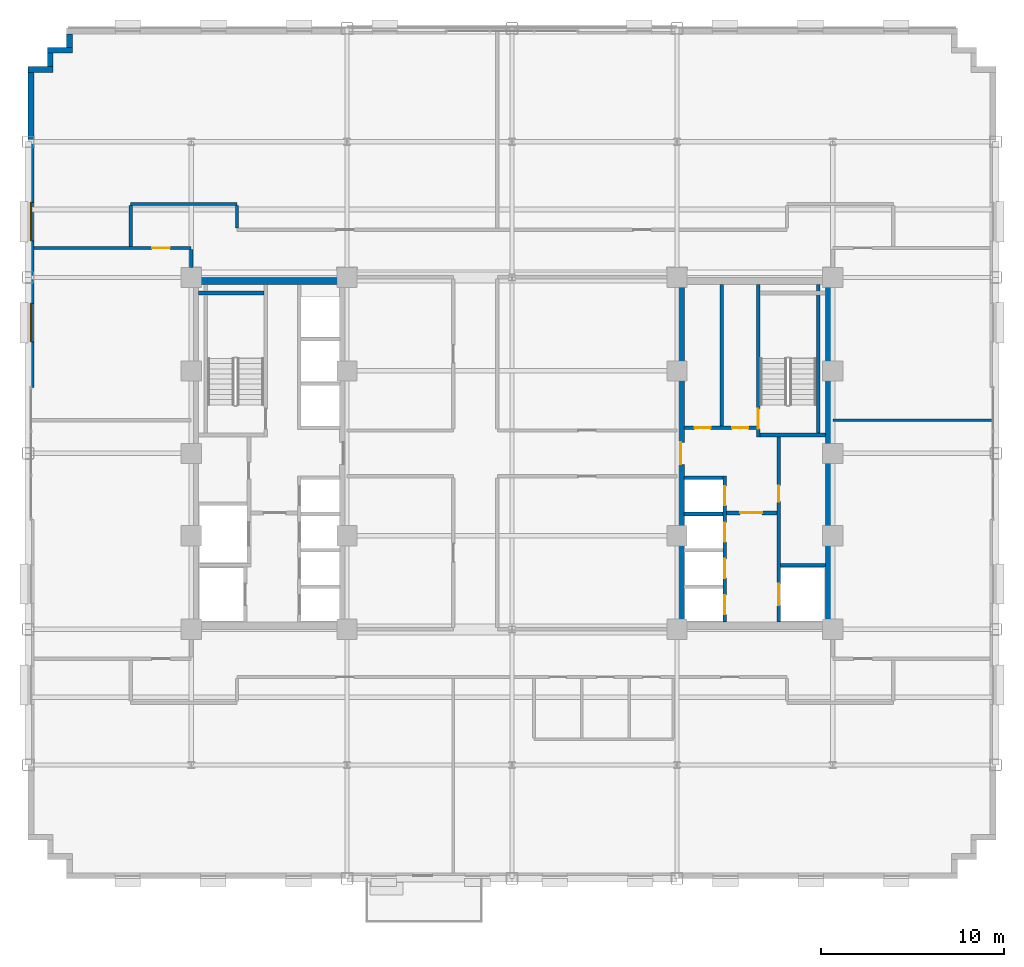
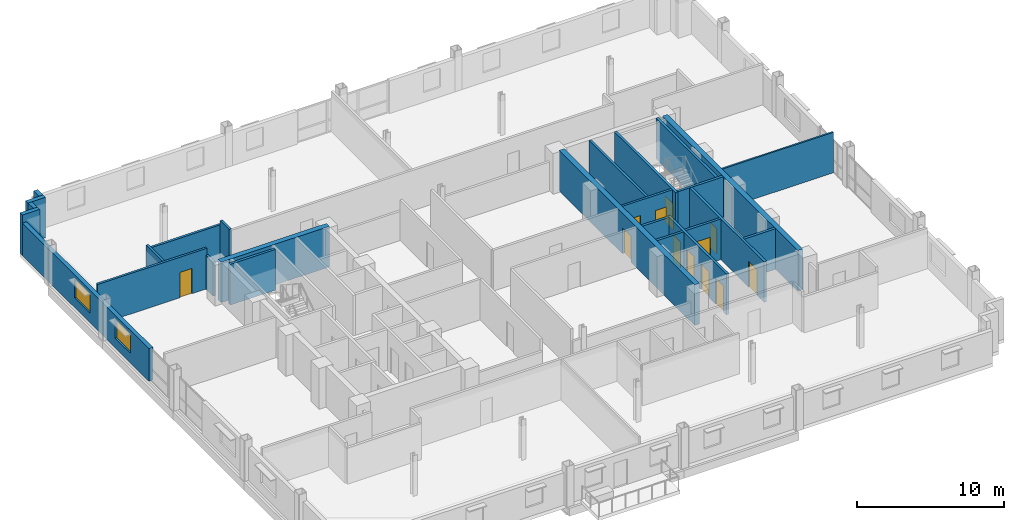
# One storey, part 8 of 17: 26 walls, 12 doors, 2 windows, 14 openings.
"""IFC4 building model written with IfcOpenShell, lengths in metres."""

from ifc_helpers import new_model, si_unit, direction, frame, frame_2d, origin, place, context, subcontext, project, spatial, rectangle, extrude, source, transform, mapped, material, layer, layer_set, type_object, type_shapes, element, fill, save


model = new_model("IFC4")

# Units and contexts
model_context = context("Model", 3, precision=1e-05, world=origin(), true_north=direction((0.0, 1.0)))
body_context = subcontext(model_context, "Body", "Model", "MODEL_VIEW")
ifc_project = project(units=[si_unit("LENGTHUNIT", "METRE"), si_unit("AREAUNIT", "SQUARE_METRE"), si_unit("VOLUMEUNIT", "CUBIC_METRE"), si_unit("PLANEANGLEUNIT", "RADIAN"), si_unit("MASSUNIT", "GRAM", prefix="KILO")], contexts=[model_context])

# Site, building, storey
site_placement = place(None, origin())
site = spatial("IfcSite", under=ifc_project, at=site_placement, CompositionType="ELEMENT")
building_placement = place(site_placement, origin())
building = spatial("IfcBuilding", under=site, at=building_placement, Name="Nuvemarco Arch Tower", CompositionType="ELEMENT")
storey_placement = place(building_placement, frame((0.0, 0.0, 120.199951171875)))
storey = spatial("IfcBuildingStorey", under=building, at=storey_placement, Name="L31", CompositionType="ELEMENT", Elevation=120.199951171875)

# Walls
ifc_material_1 = material(Name="Precast concrete C45/55", Category="concrete")
ifc_layer_1 = layer(ifc_material_1, 0.320068359375, Name="EW-MID-320")
ifc_layer_set_1 = layer_set([ifc_layer_1], Name="Precast concrete C45/55")
wall_type_1 = type_object("IfcWallType", Name="EW-MID-320", PredefinedType="STANDARD", material=ifc_layer_set_1)
wall_1_placement = place(storey_placement, frame((-24.139892578125, 22.14599609375, 0.0), z_axis=(0.0, 0.0, 1.0), x_axis=(0.0, 1.0, 0.0)))
element("IfcWall", 1, at=wall_1_placement, inside=storey, type_object=wall_type_1, Name="L31 exterior precast facade wall 12", PredefinedType="STANDARD", context=body_context, shape_type="SweptSolid", body=[
    extrude(rectangle(XDim=0.738037109375, YDim=0.320068359375, at=frame_2d((0.369140625, 0.0))), origin(), (0.0, 0.0, 1.0), 3.360107421875),
])
wall_2_placement = place(storey_placement, frame((-25.35009765625, 21.989990234375, 0.0), z_axis=(0.0, 0.0, 1.0), x_axis=(1.0, 0.0, 0.0)))
element("IfcWall", 2, at=wall_2_placement, inside=storey, type_object=wall_type_1, Name="L31 exterior precast facade wall 13", PredefinedType="STANDARD", context=body_context, shape_type="SweptSolid", body=[
    extrude(rectangle(XDim=1.3701171875, YDim=0.320068359375, at=frame_2d((0.68505859375, 0.0))), origin(), (0.0, 0.0, 1.0), 3.360107421875),
])
wall_3_placement = place(storey_placement, frame((-25.18994140625, 21.095947265625, 0.0), z_axis=(0.0, 0.0, 1.0), x_axis=(0.0, 1.0, 0.0)))
element("IfcWall", 3, at=wall_3_placement, inside=storey, type_object=wall_type_1, Name="L31 exterior precast facade wall 14", PredefinedType="STANDARD", context=body_context, shape_type="SweptSolid", body=[
    extrude(rectangle(XDim=0.738037109375, YDim=0.320068359375, at=frame_2d((0.369140625, 0.0))), origin(), (0.0, 0.0, 1.0), 3.360107421875),
])
wall_4_placement = place(storey_placement, frame((-26.39990234375, 20.93994140625, 0.0), z_axis=(0.0, 0.0, 1.0), x_axis=(1.0, 0.0, 0.0)))
element("IfcWall", 4, at=wall_4_placement, inside=storey, type_object=wall_type_1, Name="L31 exterior precast facade wall 15", PredefinedType="STANDARD", context=body_context, shape_type="SweptSolid", body=[
    extrude(rectangle(XDim=1.369873046875, YDim=0.320068359375, at=frame_2d((0.68505859375, 0.0))), origin(), (0.0, 0.0, 1.0), 3.360107421875),
])

# Wall, openings, windows
wall_5_placement = place(storey_placement, frame((-26.239990234375, 3.60009765625, 0.0), z_axis=(0.0, 0.0, 1.0), x_axis=(0.0, 1.0, 0.0)))
wall_5 = element("IfcWall", 5, at=wall_5_placement, inside=storey, type_object=wall_type_1, Name="L31 exterior precast pier wall west right", PredefinedType="STANDARD", context=body_context, shape_type="SweptSolid", body=[
    extrude(rectangle(XDim=17.183837890625, YDim=0.320068359375, at=frame_2d((8.591796875, 0.0))), origin(), (0.0, 0.0, 1.0), 2.705078125),
])
opening_1_placement = place(wall_5_placement, frame((2.480712890625, 0.0, 0.800048828125)))
opening_1 = element("IfcOpeningElement", 6, at=opening_1_placement, cuts=wall_5, Name="Opening WN-5", PredefinedType="OPENING", context=body_context, shape_type="SweptSolid", body=[
    extrude(rectangle(XDim=2.10009765625, YDim=1.56005859375, at=frame_2d((1.050048828125, 0.780029296875))), frame((0.0, 0.169921875, 0.0), z_axis=(0.0, -1.0, 0.0), x_axis=(1.0, 0.0, 0.0)), (0.0, 0.0, 1.0), 0.340087890625),
])
opening_2_placement = place(wall_5_placement, frame((7.991943359375, 0.0, 0.800048828125)))
opening_2 = element("IfcOpeningElement", 7, at=opening_2_placement, cuts=wall_5, Name="Opening WN-5", PredefinedType="OPENING", context=body_context, shape_type="SweptSolid", body=[
    extrude(rectangle(XDim=2.10009765625, YDim=1.56005859375, at=frame_2d((1.050048828125, 0.780029296875))), frame((0.0, 0.169921875, 0.0), z_axis=(0.0, -1.0, 0.0), x_axis=(1.0, 0.0, 0.0)), (0.0, 0.0, 1.0), 0.340087890625),
])
ifc_material_2 = material(Name="Insulated solar-control glass", Category="glass")
window_type = type_object("IfcWindowType", Name="WN-MID-2100x1560", PartitioningType="DOUBLE_PANEL_VERTICAL", PredefinedType="WINDOW", material=ifc_material_2)
shared_shape_1 = source(origin(), body_context, "Body", "SweptSolid", [
    extrude(rectangle(XDim=2.10009765625, YDim=1.56005859375, at=frame_2d((1.050048828125, 0.780029296875))), frame((0.0, 0.030029296875, 0.0), z_axis=(0.0, -1.0, 0.0), x_axis=(1.0, 0.0, 0.0)), (0.0, 0.0, 1.0), 0.06005859375),
])
type_shapes(window_type, [shared_shape_1])
window_1_placement = place(opening_1_placement, origin())
window_1 = element("IfcWindow", 8, at=window_1_placement, inside=storey, type_object=window_type, Name="L31 punched facade window 1", OverallHeight=1.56005859375, OverallWidth=2.10009765625, PartitioningType="SINGLE_PANEL", PredefinedType="WINDOW", context=body_context, shape_type="MappedRepresentation", body=[
    mapped(shared_shape_1, transform((0.0, 0.0, 0.0), scale=1.0)),
])
fill(opening_1, window_1)
window_2_placement = place(opening_2_placement, origin())
window_2 = element("IfcWindow", 9, at=window_2_placement, inside=storey, type_object=window_type, Name="L31 punched facade window 2", OverallHeight=1.56005859375, OverallWidth=2.10009765625, PartitioningType="SINGLE_PANEL", PredefinedType="WINDOW", context=body_context, shape_type="MappedRepresentation", body=[
    mapped(shared_shape_1, transform((0.0, 0.0, 0.0), scale=1.0)),
])
fill(opening_2, window_2)

# Wall
ifc_material_3 = material(Name="Concrete C60/75", Category="concrete")
ifc_layer_2 = layer(ifc_material_3, 0.39990234375, Name="WL-CORE-400")
ifc_layer_set_2 = layer_set([ifc_layer_2], Name="Concrete C60/75")
wall_type_2 = type_object("IfcWallType", Name="WL-CORE-400", PredefinedType="SHEAR", material=ifc_layer_set_2)
wall_6_placement = place(storey_placement, frame((-17.5, 9.39990234375, 0.0), z_axis=(0.0, 0.0, 1.0), x_axis=(1.0, 0.0, 0.0)))
element("IfcWall", 10, at=wall_6_placement, inside=storey, type_object=wall_type_2, Name="L31 W-core shear wall N", PredefinedType="SHEAR", context=body_context, shape_type="SweptSolid", body=[
    extrude(rectangle(XDim=8.5, YDim=0.39990234375, at=frame_2d((4.25, 0.0))), origin(), (0.0, 0.0, 1.0), 3.3701171875),
])

# Wall, opening, door
wall_7_placement = place(storey_placement, frame((9.199951171875, -9.205078125, 0.0), z_axis=(0.0, 0.0, 1.0), x_axis=(0.0, 1.0, 0.0)))
wall_7 = element("IfcWall", 11, at=wall_7_placement, inside=storey, type_object=wall_type_2, Name="L31 E-core shear wall W", PredefinedType="SHEAR", context=body_context, shape_type="SweptSolid", body=[
    extrude(rectangle(XDim=18.41015625, YDim=0.39990234375, at=frame_2d((9.205078125, 0.0))), origin(), (0.0, 0.0, 1.0), 3.3701171875),
])
opening_3_placement = place(wall_7_placement, frame((8.60498046875, 0.0, 0.0)))
opening_3 = element("IfcOpeningElement", 12, at=opening_3_placement, cuts=wall_7, Name="Opening FD-2", PredefinedType="OPENING", context=body_context, shape_type="SweptSolid", body=[
    extrude(rectangle(XDim=1.199951171875, YDim=2.14990234375, at=frame_2d((0.60009765625, 1.074951171875))), frame((0.0, 0.2099609375, 0.0), z_axis=(0.0, -1.0, 0.0), x_axis=(1.0, 0.0, 0.0)), (0.0, 0.0, 1.0), 0.419921875),
])
ifc_material_4 = material(Name="Anodised steel fire door", Category="steel")
door_type_1 = type_object("IfcDoorType", Name="DR-FFLOB-FD", OperationType="NOTDEFINED", PredefinedType="DOOR", material=ifc_material_4)
shared_shape_2 = source(origin(), body_context, "Body", "SweptSolid", [
    extrude(rectangle(XDim=1.199951171875, YDim=2.14990234375, at=frame_2d((0.60009765625, 1.074951171875))), frame((0.0, 0.02490234375, 0.0), z_axis=(0.0, -1.0, 0.0), x_axis=(1.0, 0.0, 0.0)), (0.0, 0.0, 1.0), 0.050048828125),
])
type_shapes(door_type_1, [shared_shape_2])
door_1_placement = place(opening_3_placement, origin())
door_1 = element("IfcDoor", 13, at=door_1_placement, inside=storey, type_object=door_type_1, Name="L31 door FD-L31-ECORE-W", OperationType="SINGLE_SWING_RIGHT", OverallHeight=2.14990234375, OverallWidth=1.199951171875, PredefinedType="DOOR", context=body_context, shape_type="MappedRepresentation", body=[
    mapped(shared_shape_2, transform((0.0, 0.0, 0.0), scale=1.0)),
])
fill(opening_3, door_1)

# Wall
wall_8_placement = place(storey_placement, frame((17.300048828125, -9.205078125, 0.0), z_axis=(0.0, 0.0, 1.0), x_axis=(0.0, 1.0, 0.0)))
element("IfcWall", 14, at=wall_8_placement, inside=storey, type_object=wall_type_2, Name="L31 E-core shear wall E", PredefinedType="SHEAR", context=body_context, shape_type="SweptSolid", body=[
    extrude(rectangle(XDim=18.41015625, YDim=0.39990234375, at=frame_2d((9.205078125, 0.0))), origin(), (0.0, 0.0, 1.0), 3.3701171875),
])

# Wall, openings, doors
ifc_material_5 = material(Name="Fire-rated gypsum drywall partition")
ifc_layer_3 = layer(ifc_material_5, 0.179931640625, Name="WL-CORR-180")
ifc_layer_set_3 = layer_set([ifc_layer_3], Name="Fire-rated gypsum drywall partition")
wall_type_3 = type_object("IfcWallType", Name="WL-CORR-180", PredefinedType="PARTITIONING", material=ifc_layer_set_3)
wall_9_placement = place(storey_placement, frame((9.39501953125, 1.39990234375, 0.0), z_axis=(0.0, 0.0, 1.0), x_axis=(1.0, 0.0, 0.0)))
wall_9 = element("IfcWall", 15, at=wall_9_placement, inside=storey, type_object=wall_type_3, Name="L31 interior wall IW-L31-EK-S", PredefinedType="PARTITIONING", context=body_context, shape_type="SweptSolid", body=[
    extrude(rectangle(XDim=3.949951171875, YDim=0.179931640625, at=frame_2d((1.97509765625, 0.0))), origin(), (0.0, 0.0, 1.0), 3.360107421875),
])
opening_4_placement = place(wall_9_placement, frame((0.56494140625, 0.0, 0.0)))
opening_4 = element("IfcOpeningElement", 16, at=opening_4_placement, cuts=wall_9, Name="Opening FD-4", PredefinedType="OPENING", context=body_context, shape_type="SweptSolid", body=[
    extrude(rectangle(XDim=0.8798828125, YDim=2.10009765625, at=frame_2d((0.43994140625, 1.050048828125))), frame((0.0, 0.099853515625, 0.0), z_axis=(0.0, -1.0, 0.0), x_axis=(1.0, 0.0, 0.0)), (0.0, 0.0, 1.0), 0.199951171875),
])
opening_5_placement = place(wall_9_placement, frame((2.614990234375, 0.0, 0.0)))
opening_5 = element("IfcOpeningElement", 17, at=opening_5_placement, cuts=wall_9, Name="Opening FD-4", PredefinedType="OPENING", context=body_context, shape_type="SweptSolid", body=[
    extrude(rectangle(XDim=0.8798828125, YDim=2.10009765625, at=frame_2d((0.43994140625, 1.050048828125))), frame((0.0, 0.099853515625, 0.0), z_axis=(0.0, -1.0, 0.0), x_axis=(1.0, 0.0, 0.0)), (0.0, 0.0, 1.0), 0.199951171875),
])
door_type_2 = type_object("IfcDoorType", Name="DR-RISER-FD", OperationType="NOTDEFINED", PredefinedType="DOOR", material=ifc_material_4)
shared_shape_3 = source(origin(), body_context, "Body", "SweptSolid", [
    extrude(rectangle(XDim=0.8798828125, YDim=2.10009765625, at=frame_2d((0.43994140625, 1.050048828125))), frame((0.0, 0.02490234375, 0.0), z_axis=(0.0, -1.0, 0.0), x_axis=(1.0, 0.0, 0.0)), (0.0, 0.0, 1.0), 0.050048828125),
])
type_shapes(door_type_2, [shared_shape_3])
door_2_placement = place(opening_4_placement, origin())
door_2 = element("IfcDoor", 18, at=door_2_placement, inside=storey, type_object=door_type_2, Name="L31 door FD-L31-EK2A", OperationType="SINGLE_SWING_LEFT", OverallHeight=2.10009765625, OverallWidth=0.8798828125, PredefinedType="DOOR", context=body_context, shape_type="MappedRepresentation", body=[
    mapped(shared_shape_3, transform((0.0, 0.0, 0.0), scale=1.0)),
])
fill(opening_4, door_2)
door_3_placement = place(opening_5_placement, origin())
door_3 = element("IfcDoor", 19, at=door_3_placement, inside=storey, type_object=door_type_2, Name="L31 door FD-L31-EK2B", OperationType="SINGLE_SWING_RIGHT", OverallHeight=2.10009765625, OverallWidth=0.8798828125, PredefinedType="DOOR", context=body_context, shape_type="MappedRepresentation", body=[
    mapped(shared_shape_3, transform((0.0, 0.0, 0.0), scale=1.0)),
])
fill(opening_5, door_3)

# Wall
wall_10_placement = place(storey_placement, frame((11.449951171875, 1.489990234375, 0.0), z_axis=(0.0, 0.0, 1.0), x_axis=(0.0, 1.0, 0.0)))
element("IfcWall", 20, at=wall_10_placement, inside=storey, type_object=wall_type_3, Name="L31 interior wall IW-L31-EK2", PredefinedType="PARTITIONING", context=body_context, shape_type="SweptSolid", body=[
    extrude(rectangle(XDim=7.715087890625, YDim=0.179931640625, at=frame_2d((3.857421875, 0.0))), origin(), (0.0, 0.0, 1.0), 3.360107421875),
])

# Wall, opening, door
wall_11_placement = place(storey_placement, frame((-26.080078125, 11.199951171875, 0.0), z_axis=(0.0, 0.0, 1.0), x_axis=(1.0, 0.0, 0.0)))
wall_11 = element("IfcWall", 21, at=wall_11_placement, inside=storey, type_object=wall_type_3, Name="L31 interior wall IW-L31-019", PredefinedType="PARTITIONING", context=body_context, shape_type="SweptSolid", body=[
    extrude(rectangle(XDim=8.580078125, YDim=0.179931640625, at=frame_2d((4.2900390625, 0.0))), origin(), (0.0, 0.0, 1.0), 3.360107421875),
])
opening_6_placement = place(wall_11_placement, frame((6.449951171875, 0.0, 0.0)))
opening_6 = element("IfcOpeningElement", 22, at=opening_6_placement, cuts=wall_11, Name="Opening FD-5", PredefinedType="OPENING", context=body_context, shape_type="SweptSolid", body=[
    extrude(rectangle(XDim=0.9599609375, YDim=2.10009765625, at=frame_2d((0.47998046875, 1.050048828125))), frame((0.0, 0.099853515625, 0.0), z_axis=(0.0, -1.0, 0.0), x_axis=(1.0, 0.0, 0.0)), (0.0, 0.0, 1.0), 0.199951171875),
])
ifc_material_6 = material(Name="Timber fire door", Category="wood")
door_type_3 = type_object("IfcDoorType", Name="DR-CORR-FD", OperationType="NOTDEFINED", PredefinedType="DOOR", material=ifc_material_6)
shared_shape_4 = source(origin(), body_context, "Body", "SweptSolid", [
    extrude(rectangle(XDim=0.9599609375, YDim=2.10009765625, at=frame_2d((0.47998046875, 1.050048828125))), frame((0.0, 0.02490234375, 0.0), z_axis=(0.0, -1.0, 0.0), x_axis=(1.0, 0.0, 0.0)), (0.0, 0.0, 1.0), 0.050048828125),
])
type_shapes(door_type_3, [shared_shape_4])
door_4_placement = place(opening_6_placement, origin())
door_4 = element("IfcDoor", 23, at=door_4_placement, inside=storey, type_object=door_type_3, Name="L31 door DR-L31-W_2", OperationType="SINGLE_SWING_RIGHT", OverallHeight=2.10009765625, OverallWidth=0.9599609375, PredefinedType="DOOR", context=body_context, shape_type="MappedRepresentation", body=[
    mapped(shared_shape_4, transform((0.0, 0.0, 0.0), scale=1.0)),
])
fill(opening_6, door_4)

# Walls
wall_12_placement = place(storey_placement, frame((-20.800048828125, 13.60009765625, 0.0), z_axis=(0.0, 0.0, 1.0), x_axis=(1.0, 0.0, 0.0)))
element("IfcWall", 24, at=wall_12_placement, inside=storey, type_object=wall_type_3, Name="L31 interior wall IW-L31-022", PredefinedType="PARTITIONING", context=body_context, shape_type="SweptSolid", body=[
    extrude(rectangle(XDim=5.800048828125, YDim=0.179931640625, at=frame_2d((2.89990234375, 0.0))), origin(), (0.0, 0.0, 1.0), 2.998046875),
])
wall_13_placement = place(storey_placement, frame((-20.800048828125, 11.285888671875, 0.0), z_axis=(0.0, 0.0, 1.0), x_axis=(0.0, 1.0, 0.0)))
element("IfcWall", 25, at=wall_13_placement, inside=storey, type_object=wall_type_3, Name="L31 interior wall IW-L31-025", PredefinedType="PARTITIONING", context=body_context, shape_type="SweptSolid", body=[
    extrude(rectangle(XDim=2.22802734375, YDim=0.179931640625, at=frame_2d((1.114013671875, 0.0))), origin(), (0.0, 0.0, 1.0), 3.360107421875),
])
wall_14_placement = place(storey_placement, frame((-17.5, 10.14599609375, 0.0), z_axis=(0.0, 0.0, 1.0), x_axis=(0.0, 1.0, 0.0)))
element("IfcWall", 26, at=wall_14_placement, inside=storey, type_object=wall_type_3, Name="L31 interior wall IW-L31-027", PredefinedType="PARTITIONING", context=body_context, shape_type="SweptSolid", body=[
    extrude(rectangle(XDim=0.968017578125, YDim=0.179931640625, at=frame_2d((0.48388671875, 0.0))), origin(), (0.0, 0.0, 1.0), 2.816162109375),
])
wall_15_placement = place(storey_placement, frame((-15.0, 12.285888671875, 0.0), z_axis=(0.0, 0.0, 1.0), x_axis=(0.0, 1.0, 0.0)))
element("IfcWall", 27, at=wall_15_placement, inside=storey, type_object=wall_type_3, Name="L31 interior wall IW-L31-029", PredefinedType="PARTITIONING", context=body_context, shape_type="SweptSolid", body=[
    extrude(rectangle(XDim=1.22802734375, YDim=0.179931640625, at=frame_2d((0.614013671875, 0.0))), origin(), (0.0, 0.0, 1.0), 3.360107421875),
])
ifc_material_7 = material(Name="Glazed acoustic office partition")
ifc_layer_4 = layer(ifc_material_7, 0.1298828125, Name="WL-EXEC-130")
ifc_layer_set_4 = layer_set([ifc_layer_4], Name="Glazed acoustic office partition")
wall_type_4 = type_object("IfcWallType", Name="WL-EXEC-130", PredefinedType="PARTITIONING", material=ifc_layer_set_4)
wall_16_placement = place(storey_placement, frame((17.5, 1.800048828125, 0.0), z_axis=(0.0, 0.0, 1.0), x_axis=(1.0, 0.0, 0.0)))
element("IfcWall", 28, at=wall_16_placement, inside=storey, type_object=wall_type_4, Name="L31 interior wall IW-L31-015", PredefinedType="PARTITIONING", context=body_context, shape_type="SweptSolid", body=[
    extrude(rectangle(XDim=8.72509765625, YDim=0.1298828125, at=frame_2d((4.362548828125, 0.0))), origin(), (0.0, 0.0, 1.0), 3.360107421875),
])
ifc_material_8 = material(Name="Concrete C50/60", Category="concrete")
ifc_layer_5 = layer(ifc_material_8, 0.199951171875, Name="WL-SHAFT-220")
ifc_layer_set_5 = layer_set([ifc_layer_5], Name="Concrete C50/60")
wall_type_5 = type_object("IfcWallType", Name="WL-SHAFT-220", PredefinedType="SHEAR", material=ifc_layer_set_5)
wall_17_placement = place(storey_placement, frame((-17.10498046875, 8.75, 0.0), z_axis=(0.0, 0.0, 1.0), x_axis=(1.0, 0.0, 0.0)))
element("IfcWall", 29, at=wall_17_placement, inside=storey, type_object=wall_type_5, Name="L31 structural shaft wall SW-L31-W-ST1N", PredefinedType="SHEAR", context=body_context, shape_type="SweptSolid", body=[
    extrude(rectangle(XDim=3.570068359375, YDim=0.199951171875, at=frame_2d((1.78515625, 0.0))), origin(), (0.0, 0.0, 1.0), 3.3701171875),
])

# Wall, opening, door
wall_18_placement = place(storey_placement, frame((13.43994140625, 0.89990234375, 0.0), z_axis=(0.0, 0.0, 1.0), x_axis=(0.0, 1.0, 0.0)))
wall_18 = element("IfcWall", 30, at=wall_18_placement, inside=storey, type_object=wall_type_5, Name="L31 structural shaft wall SW-L31-E-ST2W", PredefinedType="SHEAR", context=body_context, shape_type="SweptSolid", body=[
    extrude(rectangle(XDim=8.30517578125, YDim=0.199951171875, at=frame_2d((4.152587890625, 0.0))), origin(), (0.0, 0.0, 1.0), 3.3701171875),
])
opening_7_placement = place(wall_18_placement, frame((0.429931640625, 0.0, 0.0)))
opening_7 = element("IfcOpeningElement", 31, at=opening_7_placement, cuts=wall_18, Name="Opening FD-1", PredefinedType="OPENING", context=body_context, shape_type="SweptSolid", body=[
    extrude(rectangle(XDim=1.10009765625, YDim=2.14990234375, at=frame_2d((0.550048828125, 1.074951171875))), frame((0.0, 0.10986328125, 0.0), z_axis=(0.0, -1.0, 0.0), x_axis=(1.0, 0.0, 0.0)), (0.0, 0.0, 1.0), 0.219970703125),
])
door_type_4 = type_object("IfcDoorType", Name="DR-STAIR-FD", OperationType="NOTDEFINED", PredefinedType="DOOR", material=ifc_material_4)
shared_shape_5 = source(origin(), body_context, "Body", "SweptSolid", [
    extrude(rectangle(XDim=1.10009765625, YDim=2.14990234375, at=frame_2d((0.550048828125, 1.074951171875))), frame((0.0, 0.02490234375, 0.0), z_axis=(0.0, -1.0, 0.0), x_axis=(1.0, 0.0, 0.0)), (0.0, 0.0, 1.0), 0.050048828125),
])
type_shapes(door_type_4, [shared_shape_5])
door_5_placement = place(opening_7_placement, origin())
door_5 = element("IfcDoor", 32, at=door_5_placement, inside=storey, type_object=door_type_4, Name="L31 door FD-L31-ST2", OperationType="SINGLE_SWING_RIGHT", OverallHeight=2.14990234375, OverallWidth=1.10009765625, PredefinedType="DOOR", context=body_context, shape_type="MappedRepresentation", body=[
    mapped(shared_shape_5, transform((0.0, 0.0, 0.0), scale=1.0)),
])
fill(opening_7, door_5)

# Walls
wall_19_placement = place(storey_placement, frame((13.534912109375, 1.0, 0.0), z_axis=(0.0, 0.0, 1.0), x_axis=(1.0, 0.0, 0.0)))
element("IfcWall", 33, at=wall_19_placement, inside=storey, type_object=wall_type_5, Name="L31 structural shaft wall SW-L31-E-ST2S", PredefinedType="SHEAR", context=body_context, shape_type="SweptSolid", body=[
    extrude(rectangle(XDim=3.570068359375, YDim=0.199951171875, at=frame_2d((1.78515625, 0.0))), origin(), (0.0, 0.0, 1.0), 3.3701171875),
])
wall_20_placement = place(storey_placement, frame((16.699951171875, 1.094970703125, 0.0), z_axis=(0.0, 0.0, 1.0), x_axis=(0.0, 1.0, 0.0)))
element("IfcWall", 34, at=wall_20_placement, inside=storey, type_object=wall_type_5, Name="L31 structural shaft wall SW-L31-E-ST2E", PredefinedType="SHEAR", context=body_context, shape_type="SweptSolid", body=[
    extrude(rectangle(XDim=8.110107421875, YDim=0.199951171875, at=frame_2d((4.05517578125, 0.0))), origin(), (0.0, 0.0, 1.0), 3.3701171875),
])

# Wall, openings, doors
wall_21_placement = place(storey_placement, frame((14.550048828125, -9.205078125, 0.0), z_axis=(0.0, 0.0, 1.0), x_axis=(0.0, 1.0, 0.0)))
wall_21 = element("IfcWall", 35, at=wall_21_placement, inside=storey, type_object=wall_type_5, Name="L31 structural shaft wall SW-L31-E-SHW", PredefinedType="SHEAR", context=body_context, shape_type="SweptSolid", body=[
    extrude(rectangle(XDim=10.110107421875, YDim=0.199951171875, at=frame_2d((5.05517578125, 0.0))), origin(), (0.0, 0.0, 1.0), 3.3701171875),
])
opening_8_placement = place(wall_21_placement, frame((6.56494140625, 0.0, 0.0)))
opening_8 = element("IfcOpeningElement", 36, at=opening_8_placement, cuts=wall_21, Name="Opening FD-4", PredefinedType="OPENING", context=body_context, shape_type="SweptSolid", body=[
    extrude(rectangle(XDim=0.8798828125, YDim=2.10009765625, at=frame_2d((0.43994140625, 1.050048828125))), frame((0.0, 0.10986328125, 0.0), z_axis=(0.0, -1.0, 0.0), x_axis=(1.0, 0.0, 0.0)), (0.0, 0.0, 1.0), 0.219970703125),
])
opening_9_placement = place(wall_21_placement, frame((0.929931640625, 0.0, 0.0)))
opening_9 = element("IfcOpeningElement", 37, at=opening_9_placement, cuts=wall_21, Name="Opening LD-2", PredefinedType="OPENING", context=body_context, shape_type="SweptSolid", body=[
    extrude(rectangle(XDim=1.14990234375, YDim=2.14990234375, at=frame_2d((0.574951171875, 1.074951171875))), frame((0.0, 0.10986328125, 0.0), z_axis=(0.0, -1.0, 0.0), x_axis=(1.0, 0.0, 0.0)), (0.0, 0.0, 1.0), 0.219970703125),
])
door_6_placement = place(opening_8_placement, origin())
door_6 = element("IfcDoor", 38, at=door_6_placement, inside=storey, type_object=door_type_2, Name="L31 door FD-L31-ERIS", OperationType="SINGLE_SWING_RIGHT", OverallHeight=2.10009765625, OverallWidth=0.8798828125, PredefinedType="DOOR", context=body_context, shape_type="MappedRepresentation", body=[
    mapped(shared_shape_3, transform((0.0, 0.0, 0.0), scale=1.0)),
])
fill(opening_8, door_6)
ifc_material_9 = material(Name="Stainless steel lift door", Category="steel")
door_type_5 = type_object("IfcDoorType", Name="DR-LIFT-FIRE", OperationType="DOUBLE_DOOR_SLIDING", PredefinedType="DOOR", material=ifc_material_9)
shared_shape_6 = source(origin(), body_context, "Body", "SweptSolid", [
    extrude(rectangle(XDim=1.14990234375, YDim=2.14990234375, at=frame_2d((0.574951171875, 1.074951171875))), frame((0.0, 0.02490234375, 0.0), z_axis=(0.0, -1.0, 0.0), x_axis=(1.0, 0.0, 0.0)), (0.0, 0.0, 1.0), 0.050048828125),
])
type_shapes(door_type_5, [shared_shape_6])
door_7_placement = place(opening_9_placement, origin())
door_7 = element("IfcDoor", 39, at=door_7_placement, inside=storey, type_object=door_type_5, Name="L31 Lift landing sliding door FFL-2", OperationType="DOUBLE_DOOR_SLIDING", OverallHeight=2.14990234375, OverallWidth=1.14990234375, PredefinedType="DOOR", context=body_context, shape_type="MappedRepresentation", body=[
    mapped(shared_shape_6, transform((0.0, 0.0, 0.0), scale=1.0)),
])
fill(opening_9, door_7)

# Wall
wall_22_placement = place(storey_placement, frame((14.64501953125, -6.10009765625, 0.0), z_axis=(0.0, 0.0, 1.0), x_axis=(1.0, 0.0, 0.0)))
element("IfcWall", 40, at=wall_22_placement, inside=storey, type_object=wall_type_5, Name="L31 structural shaft wall SW-L31-E-SH1", PredefinedType="SHEAR", context=body_context, shape_type="SweptSolid", body=[
    extrude(rectangle(XDim=2.4599609375, YDim=0.199951171875, at=frame_2d((1.22998046875, 0.0))), origin(), (0.0, 0.0, 1.0), 3.3701171875),
])

# Wall, openings, doors
wall_23_placement = place(storey_placement, frame((11.60009765625, -9.205078125, 0.0), z_axis=(0.0, 0.0, 1.0), x_axis=(0.0, 1.0, 0.0)))
wall_23 = element("IfcWall", 41, at=wall_23_placement, inside=storey, type_object=wall_type_5, Name="L31 structural shaft wall SW-L31-E-PME", PredefinedType="SHEAR", context=body_context, shape_type="SweptSolid", body=[
    extrude(rectangle(XDim=7.97509765625, YDim=0.199951171875, at=frame_2d((3.987548828125, 0.0))), origin(), (0.0, 0.0, 1.0), 3.3701171875),
])
opening_10_placement = place(wall_23_placement, frame((0.419921875, 0.0, 0.0)))
opening_10 = element("IfcOpeningElement", 42, at=opening_10_placement, cuts=wall_23, Name="Opening LD-1", PredefinedType="OPENING", context=body_context, shape_type="SweptSolid", body=[
    extrude(rectangle(XDim=1.050048828125, YDim=2.14990234375, at=frame_2d((0.52490234375, 1.074951171875))), frame((0.0, 0.10986328125, 0.0), z_axis=(0.0, -1.0, 0.0), x_axis=(1.0, 0.0, 0.0)), (0.0, 0.0, 1.0), 0.219970703125),
])
opening_11_placement = place(wall_23_placement, frame((2.39990234375, 0.0, 0.0)))
opening_11 = element("IfcOpeningElement", 43, at=opening_11_placement, cuts=wall_23, Name="Opening LD-1", PredefinedType="OPENING", context=body_context, shape_type="SweptSolid", body=[
    extrude(rectangle(XDim=1.050048828125, YDim=2.14990234375, at=frame_2d((0.52490234375, 1.074951171875))), frame((0.0, 0.10986328125, 0.0), z_axis=(0.0, -1.0, 0.0), x_axis=(1.0, 0.0, 0.0)), (0.0, 0.0, 1.0), 0.219970703125),
])
opening_12_placement = place(wall_23_placement, frame((4.3798828125, 0.0, 0.0)))
opening_12 = element("IfcOpeningElement", 44, at=opening_12_placement, cuts=wall_23, Name="Opening LD-1", PredefinedType="OPENING", context=body_context, shape_type="SweptSolid", body=[
    extrude(rectangle(XDim=1.050048828125, YDim=2.14990234375, at=frame_2d((0.52490234375, 1.074951171875))), frame((0.0, 0.10986328125, 0.0), z_axis=(0.0, -1.0, 0.0), x_axis=(1.0, 0.0, 0.0)), (0.0, 0.0, 1.0), 0.219970703125),
])
opening_13_placement = place(wall_23_placement, frame((6.360107421875, 0.0, 0.0)))
opening_13 = element("IfcOpeningElement", 45, at=opening_13_placement, cuts=wall_23, Name="Opening LD-1", PredefinedType="OPENING", context=body_context, shape_type="SweptSolid", body=[
    extrude(rectangle(XDim=1.050048828125, YDim=2.14990234375, at=frame_2d((0.52490234375, 1.074951171875))), frame((0.0, 0.10986328125, 0.0), z_axis=(0.0, -1.0, 0.0), x_axis=(1.0, 0.0, 0.0)), (0.0, 0.0, 1.0), 0.219970703125),
])
door_type_6 = type_object("IfcDoorType", Name="DR-LIFT-PASS", OperationType="DOUBLE_DOOR_SLIDING", PredefinedType="DOOR", material=ifc_material_9)
shared_shape_7 = source(origin(), body_context, "Body", "SweptSolid", [
    extrude(rectangle(XDim=1.050048828125, YDim=2.14990234375, at=frame_2d((0.52490234375, 1.074951171875))), frame((0.0, 0.02490234375, 0.0), z_axis=(0.0, -1.0, 0.0), x_axis=(1.0, 0.0, 0.0)), (0.0, 0.0, 1.0), 0.050048828125),
])
type_shapes(door_type_6, [shared_shape_7])
door_8_placement = place(opening_10_placement, origin())
door_8 = element("IfcDoor", 46, at=door_8_placement, inside=storey, type_object=door_type_6, Name="L31 Lift landing sliding door PM-1", OperationType="DOUBLE_DOOR_SLIDING", OverallHeight=2.14990234375, OverallWidth=1.050048828125, PredefinedType="DOOR", context=body_context, shape_type="MappedRepresentation", body=[
    mapped(shared_shape_7, transform((0.0, 0.0, 0.0), scale=1.0)),
])
fill(opening_10, door_8)
door_9_placement = place(opening_11_placement, origin())
door_9 = element("IfcDoor", 47, at=door_9_placement, inside=storey, type_object=door_type_6, Name="L31 Lift landing sliding door PM-2", OperationType="DOUBLE_DOOR_SLIDING", OverallHeight=2.14990234375, OverallWidth=1.050048828125, PredefinedType="DOOR", context=body_context, shape_type="MappedRepresentation", body=[
    mapped(shared_shape_7, transform((0.0, 0.0, 0.0), scale=1.0)),
])
fill(opening_11, door_9)
door_10_placement = place(opening_12_placement, origin())
door_10 = element("IfcDoor", 48, at=door_10_placement, inside=storey, type_object=door_type_6, Name="L31 Lift landing sliding door PM-3", OperationType="DOUBLE_DOOR_SLIDING", OverallHeight=2.14990234375, OverallWidth=1.050048828125, PredefinedType="DOOR", context=body_context, shape_type="MappedRepresentation", body=[
    mapped(shared_shape_7, transform((0.0, 0.0, 0.0), scale=1.0)),
])
fill(opening_12, door_10)
door_11_placement = place(opening_13_placement, origin())
door_11 = element("IfcDoor", 49, at=door_11_placement, inside=storey, type_object=door_type_6, Name="L31 Lift landing sliding door PM-4", OperationType="DOUBLE_DOOR_SLIDING", OverallHeight=2.14990234375, OverallWidth=1.050048828125, PredefinedType="DOOR", context=body_context, shape_type="MappedRepresentation", body=[
    mapped(shared_shape_7, transform((0.0, 0.0, 0.0), scale=1.0)),
])
fill(opening_13, door_11)

# Wall, opening, door
wall_24_placement = place(storey_placement, frame((11.695068359375, -3.25, 0.0), z_axis=(0.0, 0.0, 1.0), x_axis=(1.0, 0.0, 0.0)))
wall_24 = element("IfcWall", 50, at=wall_24_placement, inside=storey, type_object=wall_type_5, Name="L31 structural shaft wall SW-L31-E-FFN", PredefinedType="SHEAR", context=body_context, shape_type="SweptSolid", body=[
    extrude(rectangle(XDim=2.760009765625, YDim=0.199951171875, at=frame_2d((1.3798828125, 0.0))), origin(), (0.0, 0.0, 1.0), 3.3701171875),
])
opening_14_placement = place(wall_24_placement, frame((0.7548828125, 0.0, 0.0)))
opening_14 = element("IfcOpeningElement", 51, at=opening_14_placement, cuts=wall_24, Name="Opening FD-2", PredefinedType="OPENING", context=body_context, shape_type="SweptSolid", body=[
    extrude(rectangle(XDim=1.199951171875, YDim=2.14990234375, at=frame_2d((0.60009765625, 1.074951171875))), frame((0.0, 0.10986328125, 0.0), z_axis=(0.0, -1.0, 0.0), x_axis=(1.0, 0.0, 0.0)), (0.0, 0.0, 1.0), 0.219970703125),
])
door_12_placement = place(opening_14_placement, origin())
door_12 = element("IfcDoor", 52, at=door_12_placement, inside=storey, type_object=door_type_1, Name="L31 door FD-L31-EFF2", OperationType="SINGLE_SWING_RIGHT", OverallHeight=2.14990234375, OverallWidth=1.199951171875, PredefinedType="DOOR", context=body_context, shape_type="MappedRepresentation", body=[
    mapped(shared_shape_2, transform((0.0, 0.0, 0.0), scale=1.0)),
])
fill(opening_14, door_12)

# Walls
for number, where, z_axis, x_axis, name in (
    (53, (9.39501953125, -3.31005859375, 0.0), (0.0, 0.0, 1.0), (1.0, 0.0, 0.0), "L31 structural shaft wall SW-L31-E-PMD3"),
    (54, (9.39501953125, -1.330078125, 0.0), (0.0, 0.0, 1.0), (1.0, 0.0, 0.0), "L31 structural shaft wall SW-L31-E-PMD4"),
):
    element("IfcWall", number, at=place(storey_placement, frame(where, z_axis=z_axis, x_axis=x_axis)), inside=storey, type_object=wall_type_5, Name=name, PredefinedType="SHEAR", context=body_context, shape_type="SweptSolid", body=[
        extrude(rectangle(XDim=2.10986328125, YDim=0.199951171875, at=frame_2d((1.054931640625, 0.0))), origin(), (0.0, 0.0, 1.0), 3.3701171875),
    ])

save(model, "model.ifc")
